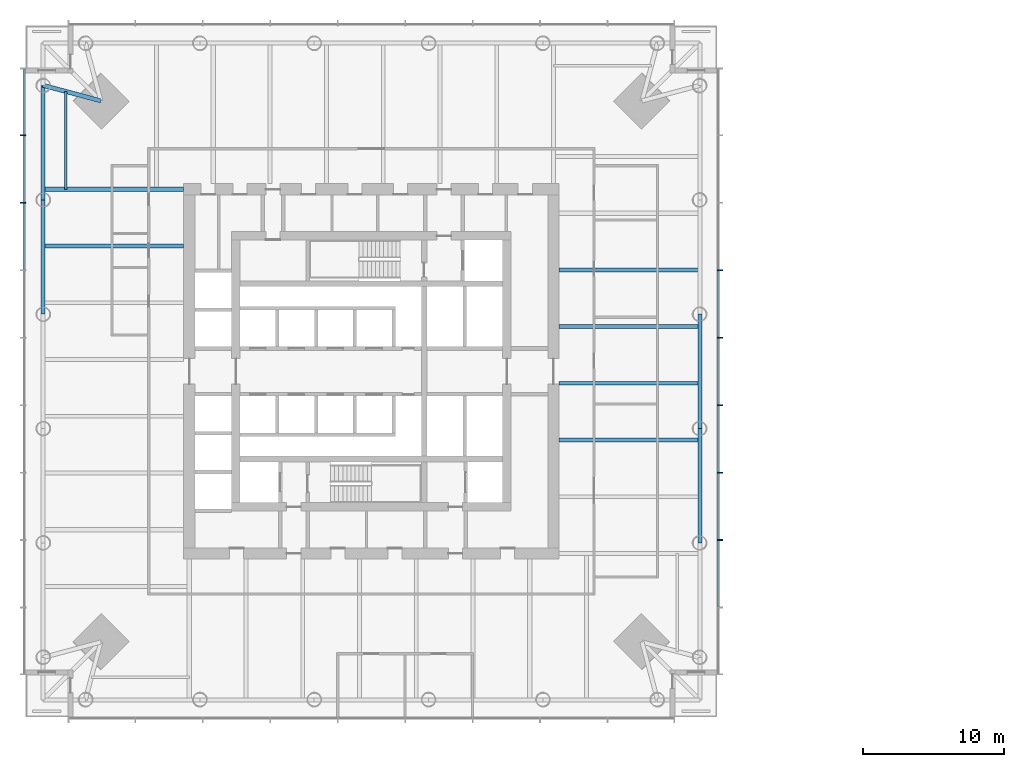
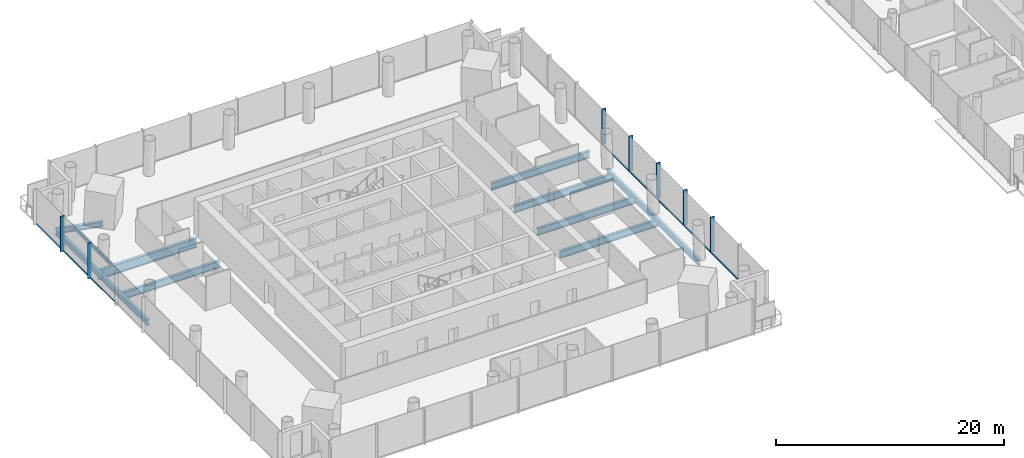
# One storey, part 3 of 21: 15 members, 12 beams, 2 elements without a shape of their own.
"""IFC4 building model written with IfcOpenShell, lengths in metres."""

from ifc_helpers import new_model, si_unit, direction, frame, origin, origin_2d, place, context, subcontext, project, spatial, rectangle, i_section, extrude, material, material_profile, profile_set, type_object, element, aggregate, save


model = new_model("IFC4")

# Units and contexts
model_context = context("Model", 3, precision=1e-05, world=origin(), true_north=direction((0.0, 1.0)))
body_context = subcontext(model_context, "Body", "Model", "MODEL_VIEW")
ifc_project = project(units=[si_unit("LENGTHUNIT", "METRE"), si_unit("AREAUNIT", "SQUARE_METRE"), si_unit("VOLUMEUNIT", "CUBIC_METRE"), si_unit("PLANEANGLEUNIT", "RADIAN"), si_unit("MASSUNIT", "GRAM", prefix="KILO")], contexts=[model_context])

# Site, building, storey
site_placement = place(None, origin())
site = spatial("IfcSite", under=ifc_project, at=site_placement, CompositionType="ELEMENT")
building_placement = place(site_placement, origin())
building = spatial("IfcBuilding", under=site, at=building_placement, Name="Ostroluk Exchange", CompositionType="ELEMENT")
storey_placement = place(building_placement, frame((0.0, 0.0, 43.800048828125)))
storey = spatial("IfcBuildingStorey", under=building, at=storey_placement, Name="L10", CompositionType="ELEMENT", Elevation=43.800048828125)

# Beams
ifc_material_1 = material(Name="Steel S355", Category="steel")
ifc_material_profile_1 = material_profile(ifc_material_1, i_section(OverallWidth=0.300048828125, OverallDepth=0.550048828125, WebThickness=0.014892578125, FlangeThickness=0.029052734375, FilletRadius=0.027099609375, at=origin_2d()), Name="HEB 550")
ifc_profile_set_1 = profile_set([ifc_material_profile_1], Name="Steel S355")
beam_type_1 = type_object("IfcBeamType", Name="Corner edge beam HEB 550", PredefinedType="SPANDREL", material=ifc_profile_set_1)
beam_1_placement = place(storey_placement, frame((25.82861328125, 65.17138671875, -0.455078125), z_axis=(-0.965838624319, 0.259144268261, 0.0), x_axis=(-0.259144268261, -0.965838624319, 0.0)))
element("IfcBeam", 1, at=beam_1_placement, inside=storey, type_object=beam_type_1, Name="T1 north corner edge beam b", PredefinedType="SPANDREL", context=body_context, shape_type="SweptSolid", body=[
    extrude(i_section(OverallWidth=0.300048828125, OverallDepth=0.550048828125, WebThickness=0.014892578125, FlangeThickness=0.029052734375, FilletRadius=0.027099609375, at=origin_2d()), origin(), (0.0, 0.0, 1.0), 4.2451171875),
])
ifc_material_2 = material(Name="Steel S355", Category="steel")
ifc_material_profile_2 = material_profile(ifc_material_2, i_section(OverallWidth=0.179931640625, OverallDepth=0.39990234375, WebThickness=0.008544921875, FlangeThickness=0.013427734375, FilletRadius=0.02099609375, at=origin_2d()), Name="IPE 400")
ifc_profile_set_2 = profile_set([ifc_material_profile_2], Name="Steel S355")
beam_type_2 = type_object("IfcBeamType", Name="Floor beam IPE 400", PredefinedType="BEAM", material=ifc_profile_set_2)
beam_2_placement = place(storey_placement, frame((23.32861328125, 58.89990234375, -0.380126953125), z_axis=(0.0, 1.0, 0.0), x_axis=(-1.0, 0.0, 0.0)))
element("IfcBeam", 2, at=beam_2_placement, inside=storey, type_object=beam_type_2, Name="T1 north floor beam 8", PredefinedType="BEAM", context=body_context, shape_type="SweptSolid", body=[
    extrude(i_section(OverallWidth=0.179931640625, OverallDepth=0.39990234375, WebThickness=0.008544921875, FlangeThickness=0.013427734375, FilletRadius=0.02099609375, at=origin_2d()), origin(), (0.0, 0.0, 1.0), 6.942138671875),
])
ifc_material_3 = material(Name="Steel S355", Category="steel")
ifc_material_profile_3 = material_profile(ifc_material_3, i_section(OverallWidth=0.26806640625, OverallDepth=0.77001953125, WebThickness=0.015625, FlangeThickness=0.025390625, FilletRadius=0.01708984375, at=origin_2d()), Name="IPE 750x196")
ifc_profile_set_3 = profile_set([ifc_material_profile_3], Name="Steel S355")
beam_type_3 = type_object("IfcBeamType", Name="Floor beam IPE 750x196", PredefinedType="BEAM", material=ifc_profile_set_3)
for number, where, z_axis, x_axis, name in (
    (3, (58.300048828125, 41.13818359375, -0.56494140625), (1.0, 0.0, 0.0), (0.0, 1.0, 0.0), "T1 east floor beam 2"),
    (4, (58.300048828125, 45.1572265625, -0.56494140625), (1.0, 0.0, 0.0), (0.0, 1.0, 0.0), "T1 east floor beam 3"),
    (5, (58.300048828125, 49.17626953125, -0.56494140625), (1.0, 0.0, 0.0), (0.0, 1.0, 0.0), "T1 east floor beam 4"),
    (6, (58.300048828125, 53.1953125, -0.56494140625), (1.0, 0.0, 0.0), (0.0, 1.0, 0.0), "T1 east floor beam 5"),
    (7, (31.699951171875, 54.880859375, -0.56494140625), (-1.0, 0.0, 0.0), (0.0, -1.0, 0.0), "T1 west floor beam 1"),
):
    element("IfcBeam", number, at=place(storey_placement, frame(where, z_axis=z_axis, x_axis=x_axis)), inside=storey, type_object=beam_type_3, Name=name, PredefinedType="BEAM", context=body_context, shape_type="SweptSolid", body=[
        extrude(i_section(OverallWidth=0.26806640625, OverallDepth=0.77001953125, WebThickness=0.015625, FlangeThickness=0.025390625, FilletRadius=0.01708984375, at=origin_2d()), origin(), (0.0, 0.0, 1.0), 9.971435546875),
    ])
ifc_material_4 = material(Name="Steel S355", Category="steel")
ifc_material_profile_4 = material_profile(ifc_material_4, i_section(OverallWidth=0.302001953125, OverallDepth=1.008056640625, WebThickness=0.02099609375, FlangeThickness=0.0400390625, FilletRadius=0.030029296875, at=origin_2d()), Name="HEM 1000")
ifc_profile_set_4 = profile_set([ifc_material_profile_4], Name="Steel S355")
beam_type_4 = type_object("IfcBeamType", Name="Girder HEM 1000", PredefinedType="BEAM", material=ifc_profile_set_4)
beam_3_placement = place(storey_placement, frame((31.699951171875, 58.89990234375, -0.68408203125), z_axis=(-1.0, 0.0, 0.0), x_axis=(0.0, -1.0, 0.0)))
element("IfcBeam", 8, at=beam_3_placement, inside=storey, type_object=beam_type_4, Name="T1 north girder", PredefinedType="BEAM", context=body_context, shape_type="SweptSolid", body=[
    extrude(i_section(OverallWidth=0.302001953125, OverallDepth=1.008056640625, WebThickness=0.02099609375, FlangeThickness=0.0400390625, FilletRadius=0.030029296875, at=origin_2d()), origin(), (0.0, 0.0, 1.0), 9.971435546875),
])
ifc_material_5 = material(Name="Steel S355", Category="steel")
ifc_material_profile_5 = material_profile(ifc_material_5, i_section(OverallWidth=0.300048828125, OverallDepth=0.60009765625, WebThickness=0.015380859375, FlangeThickness=0.030029296875, FilletRadius=0.027099609375, at=origin_2d()), Name="HEB 600")
ifc_profile_set_5 = profile_set([ifc_material_profile_5], Name="Steel S355")
beam_type_5 = type_object("IfcBeamType", Name="Moment-connected edge beam HEB 600", PredefinedType="SPANDREL", material=ifc_profile_set_5)
beam_4_placement = place(storey_placement, frame((68.271484375, 33.837158203125, -0.47998046875), z_axis=(0.0, 1.0, 0.0), x_axis=(-1.0, 0.0, 0.0)))
element("IfcBeam", 9, at=beam_4_placement, inside=storey, type_object=beam_type_5, Name="T1 east edge beam 2", PredefinedType="SPANDREL", context=body_context, shape_type="SweptSolid", body=[
    extrude(i_section(OverallWidth=0.300048828125, OverallDepth=0.60009765625, WebThickness=0.015380859375, FlangeThickness=0.030029296875, FilletRadius=0.027099609375, at=origin_2d()), origin(), (0.0, 0.0, 1.0), 8.108642578125),
])
beam_5_placement = place(storey_placement, frame((68.271484375, 41.94580078125, -0.47998046875), z_axis=(0.0, 1.0, 0.0), x_axis=(-1.0, 0.0, 0.0)))
element("IfcBeam", 10, at=beam_5_placement, inside=storey, type_object=beam_type_5, Name="T1 east edge beam 3", PredefinedType="SPANDREL", context=body_context, shape_type="SweptSolid", body=[
    extrude(i_section(OverallWidth=0.300048828125, OverallDepth=0.60009765625, WebThickness=0.015380859375, FlangeThickness=0.030029296875, FilletRadius=0.027099609375, at=origin_2d()), origin(), (0.0, 0.0, 1.0), 8.1083984375),
])
for number, where, z_axis, x_axis, name in (
    (11, (21.728515625, 66.271484375, -0.47998046875), (0.0, -1.0, 0.0), (1.0, 0.0, 0.0), "T1 west edge beam 1"),
    (12, (21.728515625, 58.162841796875, -0.47998046875), (0.0, -1.0, 0.0), (1.0, 0.0, 0.0), "T1 west edge beam 2"),
):
    element("IfcBeam", number, at=place(storey_placement, frame(where, z_axis=z_axis, x_axis=x_axis)), inside=storey, type_object=beam_type_5, Name=name, PredefinedType="SPANDREL", context=body_context, shape_type="SweptSolid", body=[
        extrude(i_section(OverallWidth=0.300048828125, OverallDepth=0.60009765625, WebThickness=0.015380859375, FlangeThickness=0.030029296875, FilletRadius=0.027099609375, at=origin_2d()), origin(), (0.0, 0.0, 1.0), 8.108642578125),
    ])

# Curtain wall, members
ifc_material_6 = material(Name="Laminated clear glass", Category="glass")
curtain_wall_type = type_object("IfcCurtainWallType", Name="Office tower facade", PredefinedType="USERDEFINED", material=ifc_material_6)
curtain_wall_1_placement = place(storey_placement, origin())
curtain_wall_1 = element("IfcCurtainWall", 13, at=curtain_wall_1_placement, inside=storey, type_object=curtain_wall_type, Name="Office tower east facade L10", ObjectType="UNITISED CURTAIN WALL", PredefinedType="USERDEFINED")
ifc_material_7 = material(Name="Aluminium mullion", Category="aluminium")
ifc_material_profile_6 = material_profile(ifc_material_7, rectangle(XDim=0.14990234375, YDim=0.080078125, at=origin_2d()), Name="Sill transom 80 x 150")
ifc_profile_set_6 = profile_set([ifc_material_profile_6], Name="Aluminium mullion")
member_type_1 = type_object("IfcMemberType", Name="Sill transom 80 x 150", PredefinedType="USERDEFINED", material=ifc_profile_set_6)
member_1_placement = place(storey_placement, frame((69.574951171875, 29.31787109375, 0.0400390625), z_axis=(0.0, 1.0, 0.0), x_axis=(-1.0, 0.0, 0.0)))
member_1 = element("IfcMember", 14, at=member_1_placement, type_object=member_type_1, Name="CW-O1 transom 2.1", ObjectType="TRANSOM", PredefinedType="USERDEFINED", context=body_context, shape_type="SweptSolid", body=[
    extrude(rectangle(XDim=0.14990234375, YDim=0.080078125, at=origin_2d()), origin(), (0.0, 0.0, 1.0), 4.69775390625),
])
member_2_placement = place(storey_placement, frame((69.574951171875, 34.095458984375, 0.0400390625), z_axis=(0.0, 1.0, 0.0), x_axis=(-1.0, 0.0, 0.0)))
member_2 = element("IfcMember", 15, at=member_2_placement, type_object=member_type_1, Name="CW-O1 transom 3.1", ObjectType="TRANSOM", PredefinedType="USERDEFINED", context=body_context, shape_type="SweptSolid", body=[
    extrude(rectangle(XDim=0.14990234375, YDim=0.080078125, at=origin_2d()), origin(), (0.0, 0.0, 1.0), 4.69775390625),
])
member_3_placement = place(storey_placement, frame((69.574951171875, 38.873291015625, 0.0400390625), z_axis=(0.0, 1.0, 0.0), x_axis=(-1.0, 0.0, 0.0)))
member_3 = element("IfcMember", 16, at=member_3_placement, type_object=member_type_1, Name="CW-O1 transom 4.1", ObjectType="TRANSOM", PredefinedType="USERDEFINED", context=body_context, shape_type="SweptSolid", body=[
    extrude(rectangle(XDim=0.14990234375, YDim=0.080078125, at=origin_2d()), origin(), (0.0, 0.0, 1.0), 4.69775390625),
])
member_4_placement = place(storey_placement, frame((69.574951171875, 43.651123046875, 0.0400390625), z_axis=(0.0, 1.0, 0.0), x_axis=(-1.0, 0.0, 0.0)))
member_4 = element("IfcMember", 17, at=member_4_placement, type_object=member_type_1, Name="CW-O1 transom 5.1", ObjectType="TRANSOM", PredefinedType="USERDEFINED", context=body_context, shape_type="SweptSolid", body=[
    extrude(rectangle(XDim=0.14990234375, YDim=0.080078125, at=origin_2d()), origin(), (0.0, 0.0, 1.0), 4.69775390625),
])
member_5_placement = place(storey_placement, frame((69.574951171875, 48.428955078125, 0.0400390625), z_axis=(0.0, 1.0, 0.0), x_axis=(-1.0, 0.0, 0.0)))
member_5 = element("IfcMember", 18, at=member_5_placement, type_object=member_type_1, Name="CW-O1 transom 6.1", ObjectType="TRANSOM", PredefinedType="USERDEFINED", context=body_context, shape_type="SweptSolid", body=[
    extrude(rectangle(XDim=0.14990234375, YDim=0.080078125, at=origin_2d()), origin(), (0.0, 0.0, 1.0), 4.69775390625),
])

curtain_wall_2_placement = place(storey_placement, origin())
curtain_wall_2 = element("IfcCurtainWall", 19, at=curtain_wall_2_placement, inside=storey, type_object=curtain_wall_type, Name="Office tower west facade L10", ObjectType="UNITISED CURTAIN WALL", PredefinedType="USERDEFINED")
member_6_placement = place(storey_placement, frame((20.425048828125, 67.419921875, 0.0400390625), z_axis=(0.0, -1.0, 0.0), x_axis=(1.0, 0.0, 0.0)))
member_6 = element("IfcMember", 20, at=member_6_placement, type_object=member_type_1, Name="CW-O1 transom 1.1", ObjectType="TRANSOM", PredefinedType="USERDEFINED", context=body_context, shape_type="SweptSolid", body=[
    extrude(rectangle(XDim=0.14990234375, YDim=0.080078125, at=origin_2d()), origin(), (0.0, 0.0, 1.0), 4.65771484375),
])
member_7_placement = place(storey_placement, frame((20.425048828125, 62.68212890625, 0.0400390625), z_axis=(0.0, -1.0, 0.0), x_axis=(1.0, 0.0, 0.0)))
member_7 = element("IfcMember", 21, at=member_7_placement, type_object=member_type_1, Name="CW-O1 transom 2.1", ObjectType="TRANSOM", PredefinedType="USERDEFINED", context=body_context, shape_type="SweptSolid", body=[
    extrude(rectangle(XDim=0.14990234375, YDim=0.080078125, at=origin_2d()), origin(), (0.0, 0.0, 1.0), 4.69775390625),
])
member_8_placement = place(storey_placement, frame((20.425048828125, 57.904541015625, 0.0400390625), z_axis=(0.0, -1.0, 0.0), x_axis=(1.0, 0.0, 0.0)))
member_8 = element("IfcMember", 22, at=member_8_placement, type_object=member_type_1, Name="CW-O1 transom 3.1", ObjectType="TRANSOM", PredefinedType="USERDEFINED", context=body_context, shape_type="SweptSolid", body=[
    extrude(rectangle(XDim=0.14990234375, YDim=0.080078125, at=origin_2d()), origin(), (0.0, 0.0, 1.0), 4.69775390625),
])

# Member
ifc_material_8 = material(Name="Aluminium mullion with limestone facing", Category="masonry")
ifc_material_profile_7 = material_profile(ifc_material_8, rectangle(XDim=0.39990234375, YDim=0.080078125, at=origin_2d()), Name="Tracery mullion 80 x 400")
ifc_profile_set_7 = profile_set([ifc_material_profile_7], Name="Aluminium mullion with limestone facing")
member_type_2 = type_object("IfcMemberType", Name="Tracery mullion 80 x 400", PredefinedType="MULLION", material=ifc_profile_set_7)
member_9_placement = place(storey_placement, frame((69.699951171875, 34.0556640625, 0.0), z_axis=(0.0, 0.0, 1.0), x_axis=(-1.0, 0.0, 0.0)))
member_9 = element("IfcMember", 23, at=member_9_placement, type_object=member_type_2, Name="CW-O1 mullion 3", PredefinedType="MULLION", context=body_context, shape_type="SweptSolid", body=[
    extrude(rectangle(XDim=0.39990234375, YDim=0.080078125, at=origin_2d()), origin(), (0.0, 0.0, 1.0), 3.800048828125),
])

member_10_placement = place(storey_placement, frame((69.699951171875, 38.833251953125, 0.0), z_axis=(0.0, 0.0, 1.0), x_axis=(-1.0, 0.0, 0.0)))
member_10 = element("IfcMember", 24, at=member_10_placement, type_object=member_type_2, Name="CW-O1 mullion 4", PredefinedType="MULLION", context=body_context, shape_type="SweptSolid", body=[
    extrude(rectangle(XDim=0.39990234375, YDim=0.080078125, at=origin_2d()), origin(), (0.0, 0.0, 1.0), 3.800048828125),
])

member_11_placement = place(storey_placement, frame((69.699951171875, 43.611083984375, 0.0), z_axis=(0.0, 0.0, 1.0), x_axis=(-1.0, 0.0, 0.0)))
member_11 = element("IfcMember", 25, at=member_11_placement, type_object=member_type_2, Name="CW-O1 mullion 5", PredefinedType="MULLION", context=body_context, shape_type="SweptSolid", body=[
    extrude(rectangle(XDim=0.39990234375, YDim=0.080078125, at=origin_2d()), origin(), (0.0, 0.0, 1.0), 3.800048828125),
])

member_12_placement = place(storey_placement, frame((69.699951171875, 48.388916015625, 0.0), z_axis=(0.0, 0.0, 1.0), x_axis=(-1.0, 0.0, 0.0)))
member_12 = element("IfcMember", 26, at=member_12_placement, type_object=member_type_2, Name="CW-O1 mullion 6", PredefinedType="MULLION", context=body_context, shape_type="SweptSolid", body=[
    extrude(rectangle(XDim=0.39990234375, YDim=0.080078125, at=origin_2d()), origin(), (0.0, 0.0, 1.0), 3.800048828125),
])

member_13_placement = place(storey_placement, frame((69.699951171875, 53.166748046875, 0.0), z_axis=(0.0, 0.0, 1.0), x_axis=(-1.0, 0.0, 0.0)))
member_13 = element("IfcMember", 27, at=member_13_placement, type_object=member_type_2, Name="CW-O1 mullion 7", PredefinedType="MULLION", context=body_context, shape_type="SweptSolid", body=[
    extrude(rectangle(XDim=0.39990234375, YDim=0.080078125, at=origin_2d()), origin(), (0.0, 0.0, 1.0), 3.800048828125),
])

aggregate(curtain_wall_1, [member_9, member_10, member_11, member_12, member_13, member_1, member_2, member_3, member_4, member_5])

member_14_placement = place(storey_placement, frame((20.300048828125, 62.72216796875, 0.0), z_axis=(0.0, 0.0, 1.0), x_axis=(1.0, 0.0, 0.0)))
member_14 = element("IfcMember", 28, at=member_14_placement, type_object=member_type_2, Name="CW-O1 mullion 2", PredefinedType="MULLION", context=body_context, shape_type="SweptSolid", body=[
    extrude(rectangle(XDim=0.39990234375, YDim=0.080078125, at=origin_2d()), origin(), (0.0, 0.0, 1.0), 3.800048828125),
])

member_15_placement = place(storey_placement, frame((20.300048828125, 57.9443359375, 0.0), z_axis=(0.0, 0.0, 1.0), x_axis=(1.0, 0.0, 0.0)))
member_15 = element("IfcMember", 29, at=member_15_placement, type_object=member_type_2, Name="CW-O1 mullion 3", PredefinedType="MULLION", context=body_context, shape_type="SweptSolid", body=[
    extrude(rectangle(XDim=0.39990234375, YDim=0.080078125, at=origin_2d()), origin(), (0.0, 0.0, 1.0), 3.800048828125),
])

aggregate(curtain_wall_2, [member_14, member_15, member_6, member_7, member_8])

save(model, "model.ifc")
